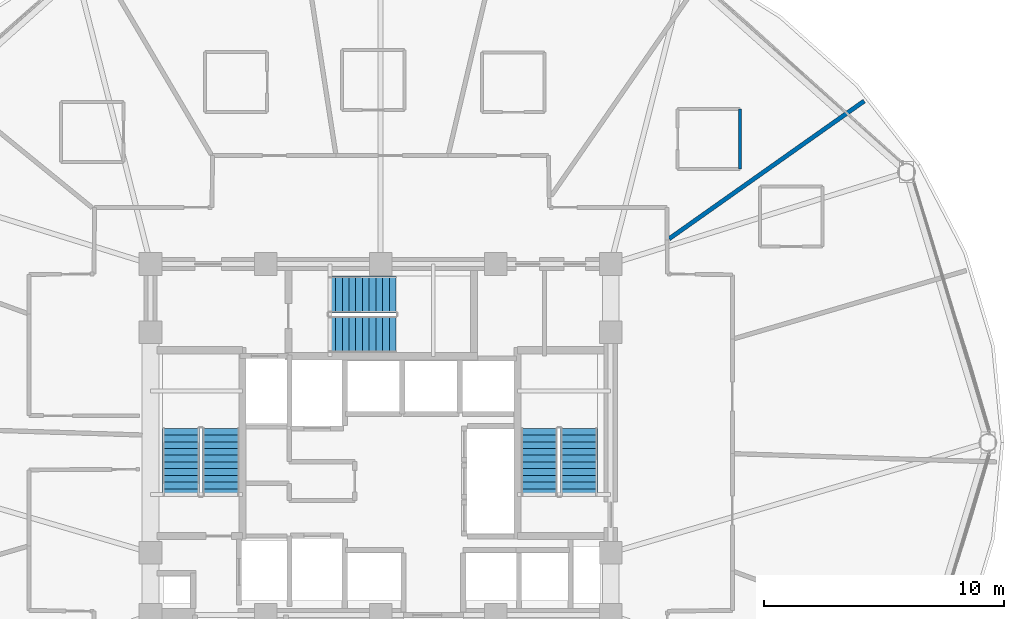
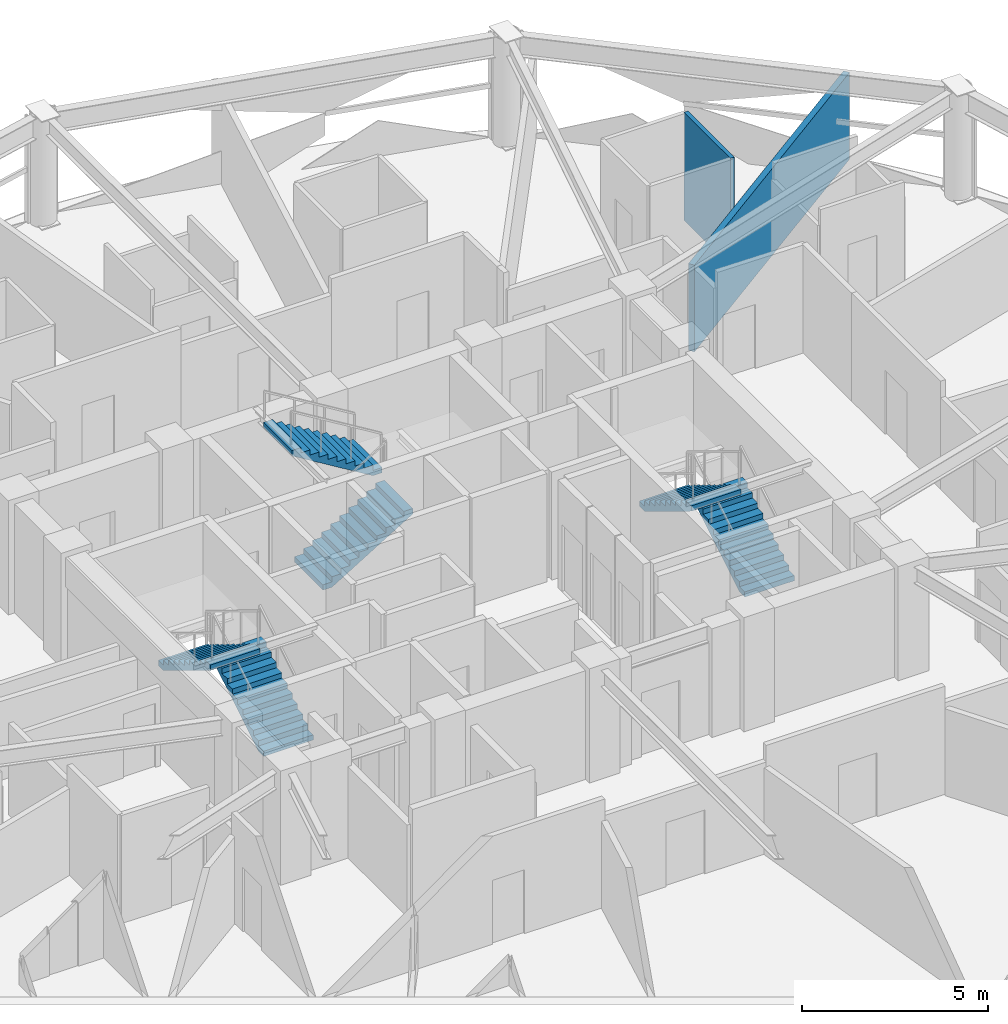
# One storey, part 27 of 31: 6 stair flights, 2 walls, 3 elements without a shape of their own.
"""IFC4 building model written with IfcOpenShell, lengths in metres."""

from ifc_helpers import new_model, si_unit, direction, frame, frame_2d, origin, place, context, subcontext, project, spatial, polyline, rectangle, outline, extrude, material, layer, layer_set, type_object, element, aggregate, save


model = new_model("IFC4")

# Units and contexts
model_context = context("Model", 3, precision=1e-05, world=origin(), true_north=direction((0.0, 1.0)))
body_context = subcontext(model_context, "Body", "Model", "MODEL_VIEW")
ifc_project = project(units=[si_unit("LENGTHUNIT", "METRE"), si_unit("AREAUNIT", "SQUARE_METRE"), si_unit("VOLUMEUNIT", "CUBIC_METRE"), si_unit("PLANEANGLEUNIT", "RADIAN"), si_unit("MASSUNIT", "GRAM", prefix="KILO")], contexts=[model_context])

# Site, building, storey
site_placement = place(None, origin())
site = spatial("IfcSite", under=ifc_project, at=site_placement, CompositionType="ELEMENT")
building_placement = place(site_placement, origin())
building = spatial("IfcBuilding", under=site, at=building_placement, Name="Vantalir Tower", CompositionType="ELEMENT")
storey_placement = place(building_placement, frame((0.0, 0.0, 115.949951171875)))
storey = spatial("IfcBuildingStorey", under=building, at=storey_placement, Name="L28", CompositionType="ELEMENT", Elevation=115.949951171875)

# Walls
ifc_material_1 = material(Name="Moisture-resistant en-suite partition", Category="gypsum")
ifc_layer_1 = layer(ifc_material_1, 0.125)
ifc_layer_set_1 = layer_set([ifc_layer_1], Name="Moisture-resistant en-suite partition")
wall_type_1 = type_object("IfcWallType", Name="WL-BATH-125", PredefinedType="PARTITIONING", material=ifc_layer_set_1)
wall_1_placement = place(storey_placement, frame((46.4990234375, 36.424072265625, 0.0), z_axis=(0.0, 0.0, 1.0), x_axis=(0.0, 1.0, 0.0)))
element("IfcWall", 1, at=wall_1_placement, inside=storey, type_object=wall_type_1, Name="L28 En-suite 02 East Wall", PredefinedType="PARTITIONING", context=body_context, shape_type="SweptSolid", body=[
    extrude(rectangle(XDim=2.5, YDim=0.125, at=frame_2d((1.25, 0.0))), origin(), (0.0, 0.0, 1.0), 3.550048828125),
])
ifc_material_2 = material(Name="Twin-stud acoustic fire-rated gypsum partition", Category="gypsum")
ifc_layer_2 = layer(ifc_material_2, 0.179931640625)
ifc_layer_set_2 = layer_set([ifc_layer_2], Name="Twin-stud acoustic fire-rated gypsum partition")
wall_type_2 = type_object("IfcWallType", Name="WL-GUEST-180", PredefinedType="PARTITIONING", material=ifc_layer_set_2)
wall_2_placement = place(storey_placement, frame((43.5400390625, 33.50390625, 0.0), z_axis=(0.0, 0.0, 1.0), x_axis=(0.816848359807, 0.576852456942, 0.0)))
element("IfcWall", 2, at=wall_2_placement, inside=storey, type_object=wall_type_2, Name="L28 Radial Suite Partition 02", PredefinedType="PARTITIONING", context=body_context, shape_type="SweptSolid", body=[
    extrude(rectangle(XDim=9.96630859375, YDim=0.179931640625, at=frame_2d((4.983154296875, 0.0))), origin(), (0.0, 0.0, 1.0), 2.85107421875),
])

# Stair, stair flights
ifc_material_3 = material(Name="Concrete C40/50", Category="concrete")
stair_type = type_object("IfcStairType", Name="STR-CORE-1450", PredefinedType="HALF_TURN_STAIR", material=ifc_material_3)
stair_1_placement = place(storey_placement, origin())
stair_1 = element("IfcStair", 3, at=stair_1_placement, inside=storey, type_object=stair_type, Name="L28 Core Exit Stair 1", PredefinedType="HALF_TURN_STAIR")
stair_flight_type = type_object("IfcStairFlightType", Name="FLT-CORE-1450", PredefinedType="STRAIGHT", material=ifc_material_3)
stair_flight_1_placement = place(storey_placement, frame((24.830078125, 22.7900390625, 0.0), z_axis=(0.0, 0.0, 1.0), x_axis=(0.0, 1.0, 0.0)))
stair_flight_1 = element("IfcStairFlight", 4, at=stair_flight_1_placement, type_object=stair_flight_type, Name="ST1 flight 1", NumberOfRisers=11, NumberOfTreads=10, PredefinedType="STRAIGHT", RiserHeight=0.170454545, TreadLength=0.28, context=body_context, shape_type="SweptSolid", body=[
    extrude(outline(polyline([(0.0, 0.0), (0.0, 0.17041015625), (0.280029296875, 0.17041015625), (0.280029296875, 0.3408203125), (0.56005859375, 0.3408203125), (0.56005859375, 0.511474609375), (0.840087890625, 0.511474609375), (0.840087890625, 0.681884765625), (1.1201171875, 0.681884765625), (1.1201171875, 0.852294921875), (1.39990234375, 0.852294921875), (1.39990234375, 1.022705078125), (1.679931640625, 1.022705078125), (1.679931640625, 1.193115234375), (1.9599609375, 1.193115234375), (1.9599609375, 1.363525390625), (2.239990234375, 1.363525390625), (2.239990234375, 1.5341796875), (2.52001953125, 1.5341796875), (2.52001953125, 1.70458984375), (2.800048828125, 1.70458984375), (2.800048828125, 1.875), (2.800048828125, 1.529052734375), (0.288330078125, 0.0), (0.0, 0.0)])), frame((0.0, 0.77001953125, 0.0), z_axis=(0.0, -1.0, 0.0), x_axis=(1.0, 0.0, 0.0)), (0.0, 0.0, 1.0), 1.5400390625),
])
stair_flight_2_placement = place(storey_placement, frame((23.169921875, 25.590087890625, 1.875), z_axis=(0.0, 0.0, 1.0), x_axis=(0.0, -1.0, 0.0)))
stair_flight_2 = element("IfcStairFlight", 5, at=stair_flight_2_placement, type_object=stair_flight_type, Name="ST1 flight 2", NumberOfRisers=11, NumberOfTreads=10, PredefinedType="STRAIGHT", RiserHeight=0.170454545, TreadLength=0.28, context=body_context, shape_type="SweptSolid", body=[
    extrude(outline(polyline([(0.0, 0.0), (0.0, 0.17041015625), (0.280029296875, 0.17041015625), (0.280029296875, 0.3408203125), (0.56005859375, 0.3408203125), (0.56005859375, 0.511474609375), (0.840087890625, 0.511474609375), (0.840087890625, 0.681884765625), (1.1201171875, 0.681884765625), (1.1201171875, 0.852294921875), (1.39990234375, 0.852294921875), (1.39990234375, 1.022705078125), (1.679931640625, 1.022705078125), (1.679931640625, 1.193115234375), (1.9599609375, 1.193115234375), (1.9599609375, 1.363525390625), (2.239990234375, 1.363525390625), (2.239990234375, 1.5341796875), (2.52001953125, 1.5341796875), (2.52001953125, 1.70458984375), (2.800048828125, 1.70458984375), (2.800048828125, 1.875), (2.800048828125, 1.529052734375), (0.288330078125, 0.0), (0.0, 0.0)])), frame((0.0, 0.77001953125, 0.0), z_axis=(0.0, -1.0, 0.0), x_axis=(1.0, 0.0, 0.0)), (0.0, 0.0, 1.0), 1.5400390625),
])
aggregate(stair_1, [stair_flight_1, stair_flight_2])

stair_2_placement = place(storey_placement, origin())
stair_2 = element("IfcStair", 6, at=stair_2_placement, inside=storey, type_object=stair_type, Name="L28 Core Exit Stair 2", PredefinedType="HALF_TURN_STAIR")
stair_flight_3_placement = place(storey_placement, frame((39.780029296875, 22.7900390625, 0.0), z_axis=(0.0, 0.0, 1.0), x_axis=(0.0, 1.0, 0.0)))
stair_flight_3 = element("IfcStairFlight", 7, at=stair_flight_3_placement, type_object=stair_flight_type, Name="ST2 flight 1", NumberOfRisers=11, NumberOfTreads=10, PredefinedType="STRAIGHT", RiserHeight=0.170454545, TreadLength=0.28, context=body_context, shape_type="SweptSolid", body=[
    extrude(outline(polyline([(0.0, 0.0), (0.0, 0.17041015625), (0.280029296875, 0.17041015625), (0.280029296875, 0.3408203125), (0.56005859375, 0.3408203125), (0.56005859375, 0.511474609375), (0.840087890625, 0.511474609375), (0.840087890625, 0.681884765625), (1.1201171875, 0.681884765625), (1.1201171875, 0.852294921875), (1.39990234375, 0.852294921875), (1.39990234375, 1.022705078125), (1.679931640625, 1.022705078125), (1.679931640625, 1.193115234375), (1.9599609375, 1.193115234375), (1.9599609375, 1.363525390625), (2.239990234375, 1.363525390625), (2.239990234375, 1.5341796875), (2.52001953125, 1.5341796875), (2.52001953125, 1.70458984375), (2.800048828125, 1.70458984375), (2.800048828125, 1.875), (2.800048828125, 1.529052734375), (0.288330078125, 0.0), (0.0, 0.0)])), frame((0.0, 0.77001953125, 0.0), z_axis=(0.0, -1.0, 0.0), x_axis=(1.0, 0.0, 0.0)), (0.0, 0.0, 1.0), 1.5400390625),
])
stair_flight_4_placement = place(storey_placement, frame((38.1201171875, 25.590087890625, 1.875), z_axis=(0.0, 0.0, 1.0), x_axis=(0.0, -1.0, 0.0)))
stair_flight_4 = element("IfcStairFlight", 8, at=stair_flight_4_placement, type_object=stair_flight_type, Name="ST2 flight 2", NumberOfRisers=11, NumberOfTreads=10, PredefinedType="STRAIGHT", RiserHeight=0.170454545, TreadLength=0.28, context=body_context, shape_type="SweptSolid", body=[
    extrude(outline(polyline([(0.0, 0.0), (0.0, 0.17041015625), (0.280029296875, 0.17041015625), (0.280029296875, 0.3408203125), (0.56005859375, 0.3408203125), (0.56005859375, 0.511474609375), (0.840087890625, 0.511474609375), (0.840087890625, 0.681884765625), (1.1201171875, 0.681884765625), (1.1201171875, 0.852294921875), (1.39990234375, 0.852294921875), (1.39990234375, 1.022705078125), (1.679931640625, 1.022705078125), (1.679931640625, 1.193115234375), (1.9599609375, 1.193115234375), (1.9599609375, 1.363525390625), (2.239990234375, 1.363525390625), (2.239990234375, 1.5341796875), (2.52001953125, 1.5341796875), (2.52001953125, 1.70458984375), (2.800048828125, 1.70458984375), (2.800048828125, 1.875), (2.800048828125, 1.529052734375), (0.288330078125, 0.0), (0.0, 0.0)])), frame((0.0, 0.77001953125, 0.0), z_axis=(0.0, -1.0, 0.0), x_axis=(1.0, 0.0, 0.0)), (0.0, 0.0, 1.0), 1.5400390625),
])
aggregate(stair_2, [stair_flight_3, stair_flight_4])

stair_3_placement = place(storey_placement, origin())
stair_3 = element("IfcStair", 9, at=stair_3_placement, inside=storey, type_object=stair_type, Name="L28 Core Exit Stair 3", PredefinedType="HALF_TURN_STAIR")
stair_flight_5_placement = place(storey_placement, frame((29.340087890625, 29.52001953125, 0.0), z_axis=(0.0, 0.0, 1.0), x_axis=(1.0, 0.0, 0.0)))
stair_flight_5 = element("IfcStairFlight", 10, at=stair_flight_5_placement, type_object=stair_flight_type, Name="ST3 flight 1", NumberOfRisers=11, NumberOfTreads=10, PredefinedType="STRAIGHT", RiserHeight=0.170454545, TreadLength=0.28, context=body_context, shape_type="SweptSolid", body=[
    extrude(outline(polyline([(0.0, 0.0), (0.0, 0.17041015625), (0.280029296875, 0.17041015625), (0.280029296875, 0.3408203125), (0.56005859375, 0.3408203125), (0.56005859375, 0.511474609375), (0.840087890625, 0.511474609375), (0.840087890625, 0.681884765625), (1.1201171875, 0.681884765625), (1.1201171875, 0.852294921875), (1.39990234375, 0.852294921875), (1.39990234375, 1.022705078125), (1.679931640625, 1.022705078125), (1.679931640625, 1.193115234375), (1.9599609375, 1.193115234375), (1.9599609375, 1.363525390625), (2.239990234375, 1.363525390625), (2.239990234375, 1.5341796875), (2.52001953125, 1.5341796875), (2.52001953125, 1.70458984375), (2.800048828125, 1.70458984375), (2.800048828125, 1.875), (2.800048828125, 1.529052734375), (0.288330078125, 0.0), (0.0, 0.0)])), frame((0.0, 0.77001953125, 0.0), z_axis=(0.0, -1.0, 0.0), x_axis=(1.0, 0.0, 0.0)), (0.0, 0.0, 1.0), 1.5400390625),
])
stair_flight_6_placement = place(storey_placement, frame((32.139892578125, 31.179931640625, 1.875), z_axis=(0.0, 0.0, 1.0), x_axis=(-1.0, 0.0, 0.0)))
stair_flight_6 = element("IfcStairFlight", 11, at=stair_flight_6_placement, type_object=stair_flight_type, Name="ST3 flight 2", NumberOfRisers=11, NumberOfTreads=10, PredefinedType="STRAIGHT", RiserHeight=0.170454545, TreadLength=0.28, context=body_context, shape_type="SweptSolid", body=[
    extrude(outline(polyline([(0.0, 0.0), (0.0, 0.17041015625), (0.280029296875, 0.17041015625), (0.280029296875, 0.3408203125), (0.56005859375, 0.3408203125), (0.56005859375, 0.511474609375), (0.840087890625, 0.511474609375), (0.840087890625, 0.681884765625), (1.1201171875, 0.681884765625), (1.1201171875, 0.852294921875), (1.39990234375, 0.852294921875), (1.39990234375, 1.022705078125), (1.679931640625, 1.022705078125), (1.679931640625, 1.193115234375), (1.9599609375, 1.193115234375), (1.9599609375, 1.363525390625), (2.239990234375, 1.363525390625), (2.239990234375, 1.5341796875), (2.52001953125, 1.5341796875), (2.52001953125, 1.70458984375), (2.800048828125, 1.70458984375), (2.800048828125, 1.875), (2.800048828125, 1.529052734375), (0.288330078125, 0.0), (0.0, 0.0)])), frame((0.0, 0.77001953125, 0.0), z_axis=(0.0, -1.0, 0.0), x_axis=(1.0, 0.0, 0.0)), (0.0, 0.0, 1.0), 1.5400390625),
])
aggregate(stair_3, [stair_flight_5, stair_flight_6])

save(model, "model.ifc")
